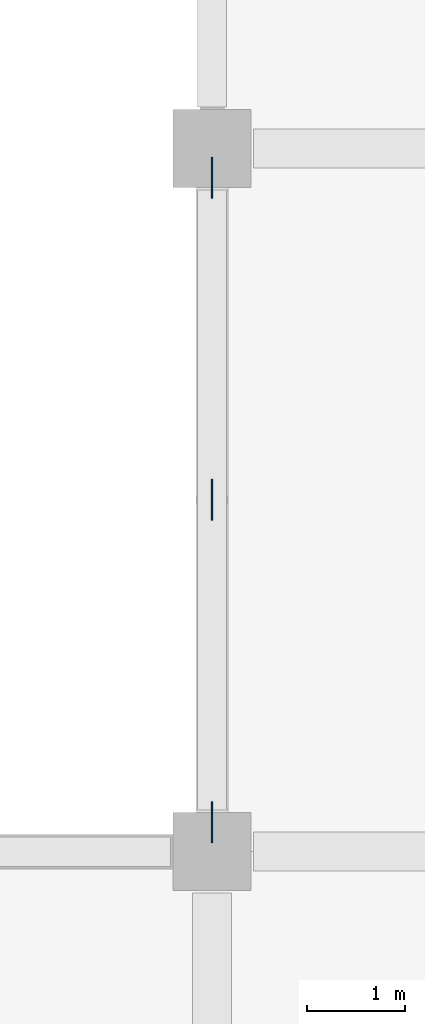
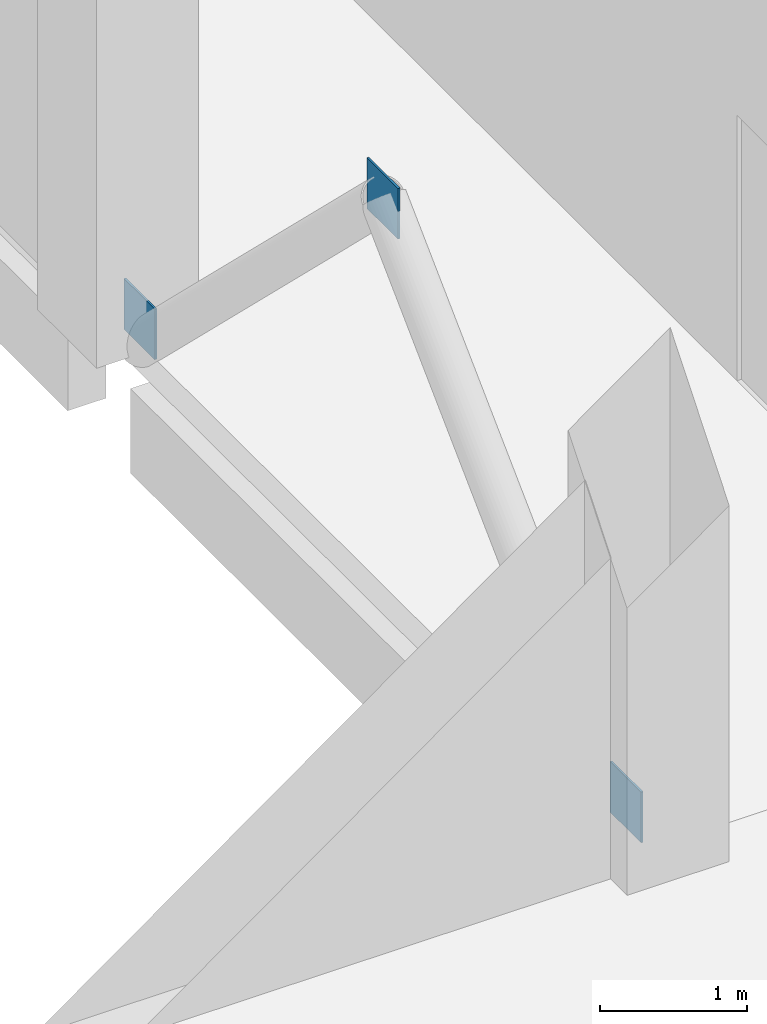
# One storey, part 75 of 107: 3 plates.
"""IFC4 building model written with IfcOpenShell, lengths in metres."""

from ifc_helpers import new_model, si_unit, direction, frame, origin, origin_2d, place, context, subcontext, project, spatial, rectangle, extrude, material, layer, layer_set, type_object, element, save


model = new_model("IFC4")

# Units and contexts
model_context = context("Model", 3, precision=1e-05, world=origin(), true_north=direction((0.0, 1.0)))
body_context = subcontext(model_context, "Body", "Model", "MODEL_VIEW")
ifc_project = project(units=[si_unit("LENGTHUNIT", "METRE"), si_unit("AREAUNIT", "SQUARE_METRE"), si_unit("VOLUMEUNIT", "CUBIC_METRE"), si_unit("PLANEANGLEUNIT", "RADIAN"), si_unit("MASSUNIT", "GRAM", prefix="KILO")], contexts=[model_context])

# Site, building, storey
site_placement = place(None, origin())
site = spatial("IfcSite", under=ifc_project, at=site_placement, CompositionType="ELEMENT")
building_placement = place(site_placement, origin())
building = spatial("IfcBuilding", under=site, at=building_placement, Name="Kangsadwip Square Police Headquarters", CompositionType="ELEMENT")
storey_placement = place(building_placement, frame((0.0, 0.0, 5.39990234375)))
storey = spatial("IfcBuildingStorey", under=building, at=storey_placement, Name="L01", CompositionType="ELEMENT", Elevation=5.39990234375)

# Plates
ifc_material = material(Name="Structural steel IS 2062 E350 (Grade 350, 350 MPa)", Category="steel")
ifc_layer = layer(ifc_material, 0.01611328125)
ifc_layer_set = layer_set([ifc_layer], Name="Structural steel IS 2062 E350 (Grade 350, 350 MPa)")
plate_type = type_object("IfcPlateType", Name="TrussGussetPlate16", PredefinedType="USERDEFINED", material=ifc_layer_set)
for number, where, z_axis, x_axis, name in (
    (1, (144.0, 39.60009765625, 3.000244140625), (0.0, 0.0, 1.0), (0.0, 1.0, 0.0), "Truss Node Gusset Plate GP-L01-0154"),
    (2, (144.0, 36.300048828125, 0.000244140625), (0.0, 0.0, 1.0), (0.0, 1.0, 0.0), "Truss Node Gusset Plate GP-L01-0155"),
    (3, (144.0, 42.89990234375, 0.000244140625), (0.0, 0.0, 1.0), (0.0, 1.0, 0.0), "Truss Node Gusset Plate GP-L01-0156"),
):
    element("IfcPlate", number, at=place(storey_placement, frame(where, z_axis=z_axis, x_axis=x_axis)), inside=storey, type_object=plate_type, Name=name, ObjectType="GUSSET_PLATE", PredefinedType="USERDEFINED", context=body_context, shape_type="SweptSolid", body=[
        extrude(rectangle(XDim=0.419921875, YDim=0.01611328125, at=origin_2d()), origin(), (0.0, 0.0, 1.0), 0.419921875),
    ])

save(model, "model.ifc")
